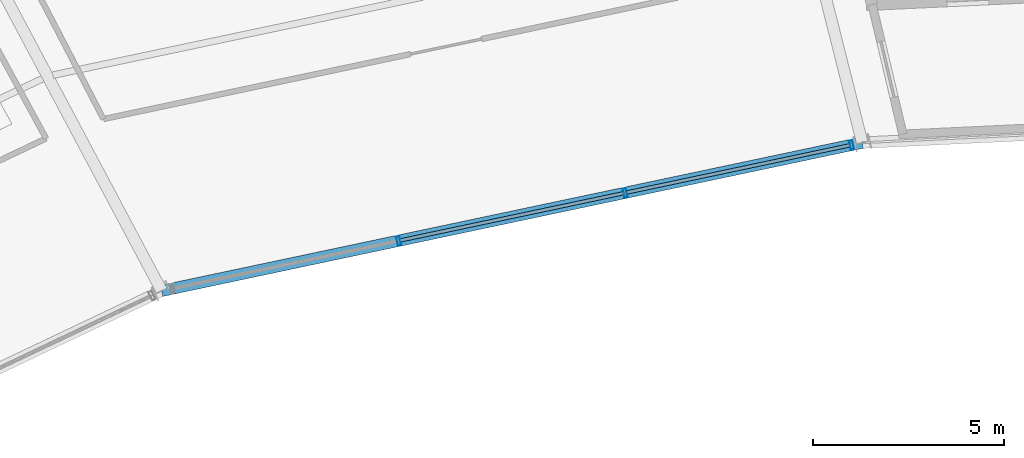
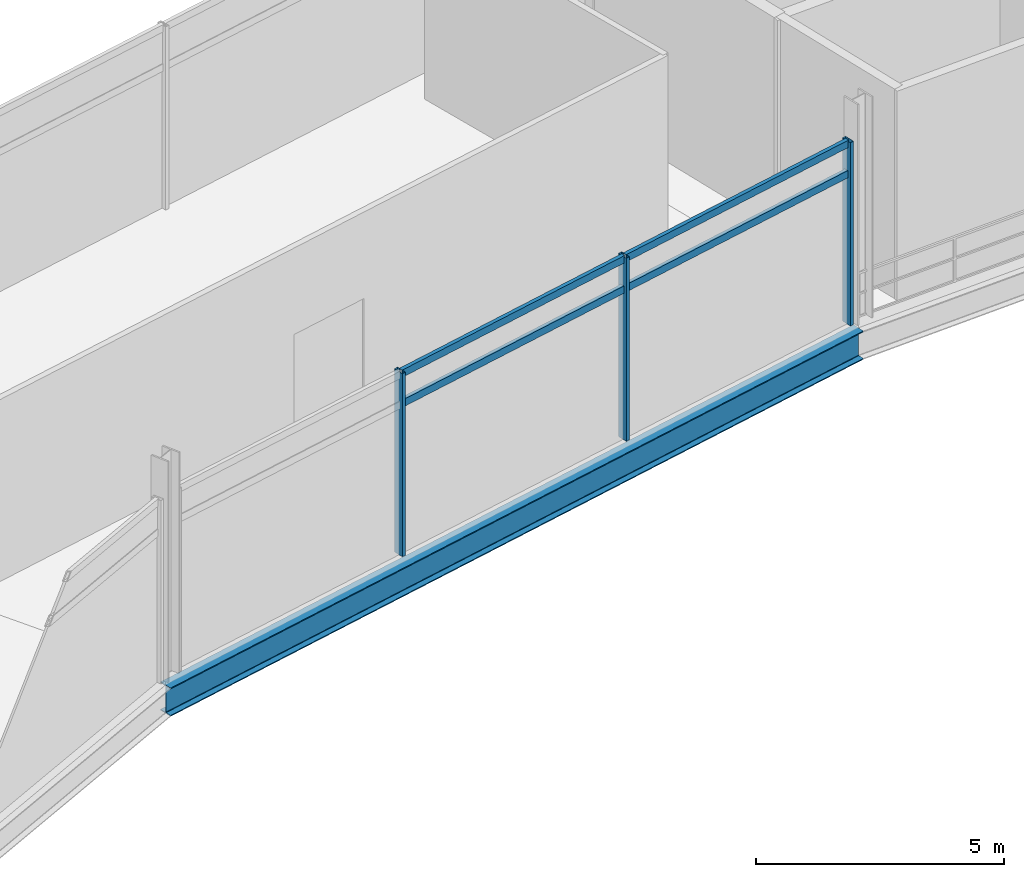
# One storey, part 57 of 86: 7 members, 1 beam, 1 element without a shape of its own.
"""IFC4 building model written with IfcOpenShell, lengths in metres."""

from ifc_helpers import new_model, si_unit, direction, frame, origin, origin_2d, place, context, subcontext, project, spatial, hollow_rectangle, i_section, extrude, material, layer, layer_set, material_profile, profile_set, type_object, element, aggregate, save


model = new_model("IFC4")

# Units and contexts
model_context = context("Model", 3, precision=1e-05, world=origin(), true_north=direction((0.0, 1.0)))
body_context = subcontext(model_context, "Body", "Model", "MODEL_VIEW")
ifc_project = project(units=[si_unit("LENGTHUNIT", "METRE"), si_unit("AREAUNIT", "SQUARE_METRE"), si_unit("VOLUMEUNIT", "CUBIC_METRE"), si_unit("PLANEANGLEUNIT", "RADIAN"), si_unit("MASSUNIT", "GRAM", prefix="KILO")], contexts=[model_context])

# Site, building, storey
site_placement = place(None, origin())
site = spatial("IfcSite", under=ifc_project, at=site_placement, CompositionType="ELEMENT")
building_placement = place(site_placement, origin())
building = spatial("IfcBuilding", under=site, at=building_placement, Name="Kazemori Nagisa Stadium", CompositionType="ELEMENT")
storey_placement = place(building_placement, frame((0.0, 0.0, 31.280029296875)))
storey = spatial("IfcBuildingStorey", under=building, at=storey_placement, Name="L06", CompositionType="ELEMENT", Elevation=31.280029296875)

# Beam
ifc_material_1 = material(Name="Steel SN490B", Category="steel")
ifc_material_profile_1 = material_profile(ifc_material_1, i_section(OverallWidth=0.300048828125, OverallDepth=0.699951171875, WebThickness=0.012939453125, FlangeThickness=0.02392578125, FilletRadius=0.01806640625, at=origin_2d()), Name="H-700x300x13x24")
ifc_profile_set_1 = profile_set([ifc_material_profile_1], Name="Steel SN490B")
beam_type = type_object("IfcBeamType", Name="Beam_BG-H700", PredefinedType="BEAM", material=ifc_profile_set_1)
beam_placement = place(storey_placement, frame((104.572265625, 175.088623046875, -0.610107421875), z_axis=(-0.978345149833, -0.206980114499, 0.0), x_axis=(0.206980114499, -0.978345149833, 0.0)))
element("IfcBeam", 1, at=beam_placement, inside=storey, type_object=beam_type, Name="Ring girder BG-H700 L06 R2-09", PredefinedType="BEAM", context=body_context, shape_type="SweptSolid", body=[
    extrude(i_section(OverallWidth=0.300048828125, OverallDepth=0.699951171875, WebThickness=0.012939453125, FlangeThickness=0.02392578125, FilletRadius=0.01806640625, at=origin_2d()), origin(), (0.0, 0.0, 1.0), 18.791259765625),
])

# Curtain wall, members
ifc_material_2 = material(Name="Anodised aluminium 6063-T5", Category="aluminium")
ifc_layer = layer(ifc_material_2, 0.239990234375, Name="Anodised aluminium 6063-T5", Category="aluminium")
ifc_layer_set = layer_set([ifc_layer], Name="Anodised aluminium 6063-T5")
curtain_wall_type = type_object("IfcCurtainWallType", Name="CW_L06G_91", PredefinedType="USERDEFINED", material=ifc_layer_set)
curtain_wall_placement = place(storey_placement, origin())
curtain_wall = element("IfcCurtainWall", 2, at=curtain_wall_placement, inside=storey, type_object=curtain_wall_type, Name="Unitised curtain wall CW-L06G-91 L06", ObjectType="UNITISED CURTAIN WALL", PredefinedType="USERDEFINED")
ifc_material_3 = material(Name="Aluminium 6063-T5 anodised", Category="aluminium")
ifc_material_profile_2 = material_profile(ifc_material_3, hollow_rectangle(XDim=0.090087890625, YDim=0.239990234375, WallThickness=0.0048828125, at=origin_2d()), Name="ALU-MULL-90x240x5")
ifc_profile_set_2 = profile_set([ifc_material_profile_2], Name="Aluminium 6063-T5 anodised")
member_type_1 = type_object("IfcMemberType", Name="Mullion_M03", PredefinedType="MULLION", material=ifc_profile_set_2)
member_1_placement = place(storey_placement, frame((104.29345703125, 175.02978515625, 0.0), z_axis=(0.0, 0.0, 1.0), x_axis=(-0.978344955407, -0.206981033502, 0.0)))
member_1 = element("IfcMember", 3, at=member_1_placement, type_object=member_type_1, Name="Curtain wall mullion CW-L06G-91-M1", PredefinedType="MULLION", context=body_context, shape_type="SweptSolid", body=[
    extrude(hollow_rectangle(XDim=0.090087890625, YDim=0.239990234375, WallThickness=0.0048828125, at=origin_2d()), origin(), (0.0, 0.0, 1.0), 4.510009765625),
])
member_2_placement = place(storey_placement, frame((98.35107421875, 173.7724609375, 0.0), z_axis=(0.0, 0.0, 1.0), x_axis=(-0.978344955407, -0.206981033502, 0.0)))
member_2 = element("IfcMember", 4, at=member_2_placement, type_object=member_type_1, Name="Curtain wall mullion CW-L06G-91-M2", PredefinedType="MULLION", context=body_context, shape_type="SweptSolid", body=[
    extrude(hollow_rectangle(XDim=0.090087890625, YDim=0.239990234375, WallThickness=0.0048828125, at=origin_2d()), origin(), (0.0, 0.0, 1.0), 4.510009765625),
])
member_3_placement = place(storey_placement, frame((92.408935546875, 172.515380859375, 0.0), z_axis=(0.0, 0.0, 1.0), x_axis=(-0.978344955407, -0.206981033502, 0.0)))
member_3 = element("IfcMember", 5, at=member_3_placement, type_object=member_type_1, Name="Curtain wall mullion CW-L06G-91-M3", PredefinedType="MULLION", context=body_context, shape_type="SweptSolid", body=[
    extrude(hollow_rectangle(XDim=0.090087890625, YDim=0.239990234375, WallThickness=0.0048828125, at=origin_2d()), origin(), (0.0, 0.0, 1.0), 4.510009765625),
])
ifc_material_profile_3 = material_profile(ifc_material_3, hollow_rectangle(XDim=0.090087890625, YDim=0.179931640625, WallThickness=0.0048828125, at=origin_2d()), Name="ALU-TRAN-90x180x5")
ifc_profile_set_3 = profile_set([ifc_material_profile_3], Name="Aluminium 6063-T5 anodised")
member_type_2 = type_object("IfcMemberType", Name="Transom_T03", PredefinedType="USERDEFINED", material=ifc_profile_set_3)
member_4_placement = place(storey_placement, frame((104.273681640625, 175.025634765625, 3.6982421875), z_axis=(-0.978338042212, -0.207013707666, 0.0), x_axis=(0.207013707666, -0.978338042212, 0.0)))
member_4 = element("IfcMember", 6, at=member_4_placement, type_object=member_type_2, Name="Curtain wall transom CW-L06G-91-T1-mid", ObjectType="TRANSOM", PredefinedType="USERDEFINED", context=body_context, shape_type="SweptSolid", body=[
    extrude(hollow_rectangle(XDim=0.090087890625, YDim=0.179931640625, WallThickness=0.0048828125, at=origin_2d()), origin(), (0.0, 0.0, 1.0), 6.033447265625),
])
member_5_placement = place(storey_placement, frame((104.273681640625, 175.025634765625, 4.43994140625), z_axis=(-0.978338042212, -0.207013707666, 0.0), x_axis=(0.207013707666, -0.978338042212, 0.0)))
member_5 = element("IfcMember", 7, at=member_5_placement, type_object=member_type_2, Name="Curtain wall transom CW-L06G-91-T1-head", ObjectType="TRANSOM", PredefinedType="USERDEFINED", context=body_context, shape_type="SweptSolid", body=[
    extrude(hollow_rectangle(XDim=0.090087890625, YDim=0.179931640625, WallThickness=0.0048828125, at=origin_2d()), origin(), (0.0, 0.0, 1.0), 6.033447265625),
])
member_6_placement = place(storey_placement, frame((98.33154296875, 173.768310546875, 3.6982421875), z_axis=(-0.978347969991, -0.206966783842, 0.0), x_axis=(0.206966783842, -0.978347969991, 0.0)))
member_6 = element("IfcMember", 8, at=member_6_placement, type_object=member_type_2, Name="Curtain wall transom CW-L06G-91-T2-mid", ObjectType="TRANSOM", PredefinedType="USERDEFINED", context=body_context, shape_type="SweptSolid", body=[
    extrude(hollow_rectangle(XDim=0.090087890625, YDim=0.179931640625, WallThickness=0.0048828125, at=origin_2d()), origin(), (0.0, 0.0, 1.0), 6.03369140625),
])
member_7_placement = place(storey_placement, frame((98.33154296875, 173.768310546875, 4.43994140625), z_axis=(-0.978347969991, -0.206966783842, 0.0), x_axis=(0.206966783842, -0.978347969991, 0.0)))
member_7 = element("IfcMember", 9, at=member_7_placement, type_object=member_type_2, Name="Curtain wall transom CW-L06G-91-T2-head", ObjectType="TRANSOM", PredefinedType="USERDEFINED", context=body_context, shape_type="SweptSolid", body=[
    extrude(hollow_rectangle(XDim=0.090087890625, YDim=0.179931640625, WallThickness=0.0048828125, at=origin_2d()), origin(), (0.0, 0.0, 1.0), 6.03369140625),
])
aggregate(curtain_wall, [member_1, member_2, member_3, member_4, member_5, member_6, member_7])

save(model, "model.ifc")
